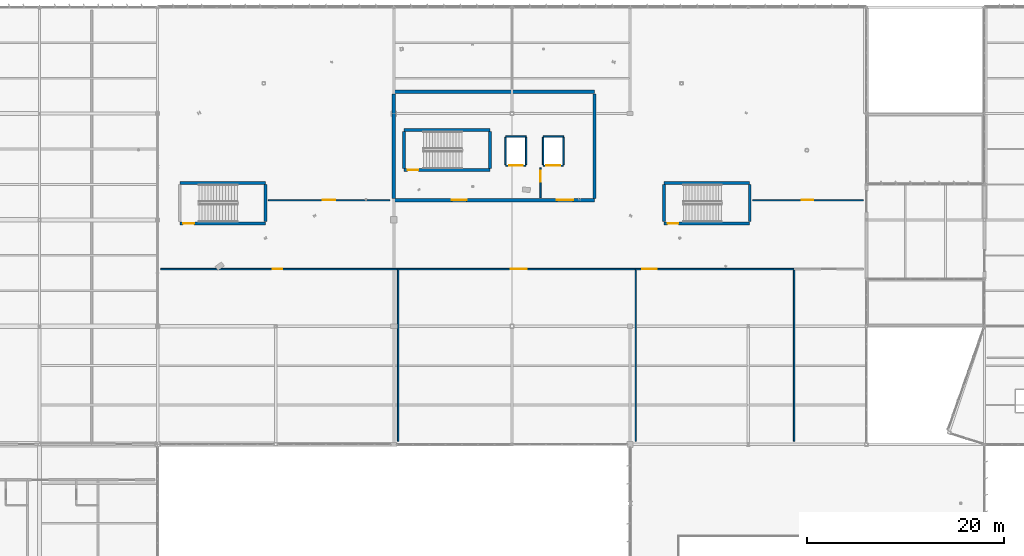
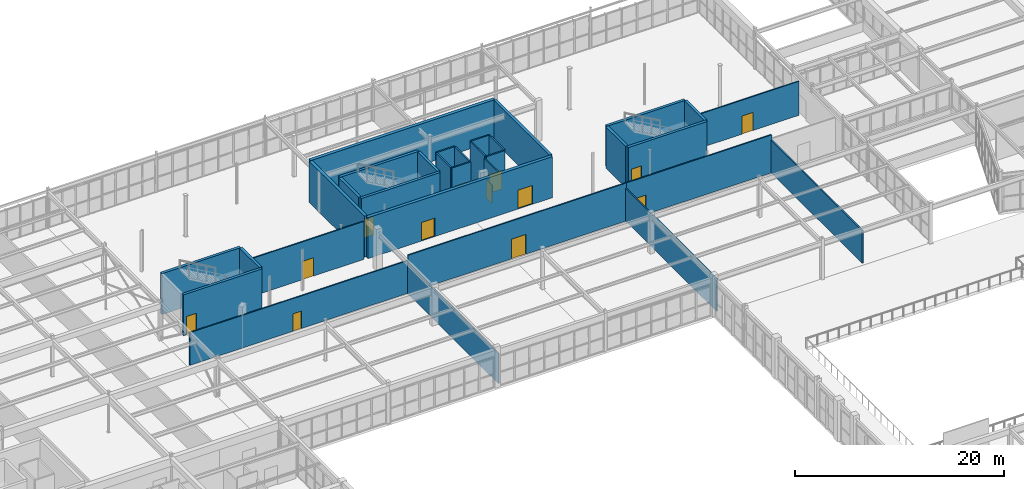
# One storey, part 195 of 226: 32 walls, 13 doors, 13 openings.
"""IFC4 building model written with IfcOpenShell, lengths in metres."""

from ifc_helpers import new_model, si_unit, direction, frame, frame_2d, origin, place, context, subcontext, project, spatial, rectangle, extrude, material, layer, layer_set, type_object, element, fill, save


model = new_model("IFC4")

# Units and contexts
model_context = context("Model", 3, precision=1e-05, world=origin(), true_north=direction((0.0, 1.0)))
body_context = subcontext(model_context, "Body", "Model", "MODEL_VIEW")
ifc_project = project(units=[si_unit("LENGTHUNIT", "METRE"), si_unit("AREAUNIT", "SQUARE_METRE"), si_unit("VOLUMEUNIT", "CUBIC_METRE"), si_unit("PLANEANGLEUNIT", "RADIAN"), si_unit("MASSUNIT", "GRAM", prefix="KILO")], contexts=[model_context])

# Site, building, storey
site_placement = place(None, origin())
site = spatial("IfcSite", under=ifc_project, at=site_placement, CompositionType="ELEMENT")
building_placement = place(site_placement, origin())
building = spatial("IfcBuilding", under=site, at=building_placement, Name="Tarnwether General Hospital", CompositionType="ELEMENT")
storey_placement = place(building_placement, frame((0.0, 0.0, 4.800048828125)))
storey = spatial("IfcBuildingStorey", under=building, at=storey_placement, Name="L01", CompositionType="ELEMENT", Elevation=4.800048828125)

# Wall, opening, door
ifc_material_1 = material(Name="Gypsum plasterboard")
ifc_layer_1 = layer(ifc_material_1, 0.139892578125)
ifc_layer_set_1 = layer_set([ifc_layer_1], Name="Gypsum plasterboard")
wall_type_1 = type_object("IfcWallType", Name="WL-PT140", PredefinedType="PARTITIONING", material=ifc_layer_set_1)
wall_1_placement = place(storey_placement, frame((60.300048828125, 99.39990234375, 0.0), z_axis=(0.0, 0.0, 1.0), x_axis=(1.0, 0.0, 0.0)))
wall_1 = element("IfcWall", 1, at=wall_1_placement, inside=storey, type_object=wall_type_1, Name="Interior Partition PT-L01-0195", PredefinedType="PARTITIONING", context=body_context, shape_type="SweptSolid", body=[
    extrude(rectangle(XDim=24.135009765625, YDim=0.139892578125, at=frame_2d((12.0673828125, 0.0))), origin(), (0.0, 0.0, 1.0), 3.81787109375),
])
opening_1_placement = place(wall_1_placement, frame((11.41796875, 0.0, 0.0)))
opening_1 = element("IfcOpeningElement", 2, at=opening_1_placement, cuts=wall_1, Name="Opening D-12", PredefinedType="OPENING", context=body_context, shape_type="SweptSolid", body=[
    extrude(rectangle(XDim=0.919921875, YDim=2.0400390625, at=frame_2d((0.4599609375, 1.02001953125))), frame((0.0, 0.080078125, 0.0), z_axis=(0.0, -1.0, 0.0), x_axis=(1.0, 0.0, 0.0)), (0.0, 0.0, 1.0), 0.159912109375),
])
ifc_material_2 = material(Name="Anodised aluminium", Category="aluminium")
door_type_1 = type_object("IfcDoorType", Name="DR-IN12", OperationType="NOTDEFINED", PredefinedType="DOOR", material=ifc_material_2)
door_1_placement = place(opening_1_placement, origin())
door_1 = element("IfcDoor", 3, at=door_1_placement, inside=storey, type_object=door_type_1, Name="Interior Door DR-L01-0108", OperationType="SINGLE_SWING_RIGHT", OverallHeight=2.0400390625, OverallWidth=0.919921875, PredefinedType="DOOR", context=body_context, shape_type="SweptSolid", body=[
    extrude(rectangle(XDim=0.919921875, YDim=2.0400390625, at=frame_2d((0.4599609375, 1.02001953125))), frame((0.0, 0.02490234375, 0.0), z_axis=(0.0, -1.0, 0.0), x_axis=(1.0, 0.0, 0.0)), (0.0, 0.0, 1.0), 0.050048828125),
])
fill(opening_1, door_1)

# Wall
wall_2_placement = place(storey_placement, frame((84.43505859375, 81.89990234375, 0.0), z_axis=(0.0, 0.0, 1.0), x_axis=(0.0, 1.0, 0.0)))
element("IfcWall", 4, at=wall_2_placement, inside=storey, type_object=wall_type_1, Name="Interior Partition PT-L01-0196", PredefinedType="PARTITIONING", context=body_context, shape_type="SweptSolid", body=[
    extrude(rectangle(XDim=17.5, YDim=0.139892578125, at=frame_2d((8.75, 0.0))), origin(), (0.0, 0.0, 1.0), 3.530029296875),
])

# Wall, opening, door
wall_3_placement = place(storey_placement, frame((84.43505859375, 99.39990234375, 0.0), z_axis=(0.0, 0.0, 1.0), x_axis=(1.0, 0.0, 0.0)))
wall_3 = element("IfcWall", 5, at=wall_3_placement, inside=storey, type_object=wall_type_1, Name="Interior Partition PT-L01-0197", PredefinedType="PARTITIONING", context=body_context, shape_type="SweptSolid", body=[
    extrude(rectangle(XDim=24.135009765625, YDim=0.139892578125, at=frame_2d((12.0673828125, 0.0))), origin(), (0.0, 0.0, 1.0), 4.429931640625),
])
opening_2_placement = place(wall_3_placement, frame((11.41796875, 0.0, 0.0)))
opening_2 = element("IfcOpeningElement", 6, at=opening_2_placement, cuts=wall_3, Name="Opening SD-02", PredefinedType="OPENING", context=body_context, shape_type="SweptSolid", body=[
    extrude(rectangle(XDim=1.6201171875, YDim=2.300048828125, at=frame_2d((0.81005859375, 1.14990234375))), frame((0.0, 0.080078125, 0.0), z_axis=(0.0, -1.0, 0.0), x_axis=(1.0, 0.0, 0.0)), (0.0, 0.0, 1.0), 0.159912109375),
])
ifc_material_3 = material(Name="Anodised aluminium", Category="aluminium")
door_type_2 = type_object("IfcDoorType", Name="DR-OR02", OperationType="NOTDEFINED", PredefinedType="DOOR", material=ifc_material_3)
door_2_placement = place(opening_2_placement, origin())
door_2 = element("IfcDoor", 7, at=door_2_placement, inside=storey, type_object=door_type_2, Name="Interior Door DR-L01-0109", OperationType="SLIDING_TO_RIGHT", OverallHeight=2.300048828125, OverallWidth=1.6201171875, PredefinedType="DOOR", context=body_context, shape_type="SweptSolid", body=[
    extrude(rectangle(XDim=1.6201171875, YDim=2.300048828125, at=frame_2d((0.81005859375, 1.14990234375))), frame((0.0, 0.02490234375, 0.0), z_axis=(0.0, -1.0, 0.0), x_axis=(1.0, 0.0, 0.0)), (0.0, 0.0, 1.0), 0.050048828125),
])
fill(opening_2, door_2)

# Wall
wall_4_placement = place(storey_placement, frame((108.570068359375, 81.89990234375, 0.0), z_axis=(0.0, 0.0, 1.0), x_axis=(0.0, 1.0, 0.0)))
element("IfcWall", 8, at=wall_4_placement, inside=storey, type_object=wall_type_1, Name="Interior Partition PT-L01-0198", PredefinedType="PARTITIONING", context=body_context, shape_type="SweptSolid", body=[
    extrude(rectangle(XDim=17.5, YDim=0.139892578125, at=frame_2d((8.75, 0.0))), origin(), (0.0, 0.0, 1.0), 3.81787109375),
])

# Wall, opening, door
wall_5_placement = place(storey_placement, frame((108.570068359375, 99.39990234375, 0.0), z_axis=(0.0, 0.0, 1.0), x_axis=(1.0, 0.0, 0.0)))
wall_5 = element("IfcWall", 9, at=wall_5_placement, inside=storey, type_object=wall_type_1, Name="Interior Partition PT-L01-0199", PredefinedType="PARTITIONING", context=body_context, shape_type="SweptSolid", body=[
    extrude(rectangle(XDim=16.0908203125, YDim=0.139892578125, at=frame_2d((8.04541015625, 0.0))), origin(), (0.0, 0.0, 1.0), 4.429931640625),
])
opening_3_placement = place(wall_5_placement, frame((0.677978515625, 0.0, 0.0)))
opening_3 = element("IfcOpeningElement", 10, at=opening_3_placement, cuts=wall_5, Name="Opening SD-03", PredefinedType="OPENING", context=body_context, shape_type="SweptSolid", body=[
    extrude(rectangle(XDim=1.47998046875, YDim=2.260009765625, at=frame_2d((0.739990234375, 1.1298828125))), frame((0.0, 0.080078125, 0.0), z_axis=(0.0, -1.0, 0.0), x_axis=(1.0, 0.0, 0.0)), (0.0, 0.0, 1.0), 0.159912109375),
])
ifc_material_4 = material(Name="Anodised aluminium", Category="aluminium")
door_type_3 = type_object("IfcDoorType", Name="DR-OR03", OperationType="NOTDEFINED", PredefinedType="DOOR", material=ifc_material_4)
door_3_placement = place(opening_3_placement, origin())
door_3 = element("IfcDoor", 11, at=door_3_placement, inside=storey, type_object=door_type_3, Name="Interior Door DR-L01-0110", OperationType="SLIDING_TO_LEFT", OverallHeight=2.260009765625, OverallWidth=1.47998046875, PredefinedType="DOOR", context=body_context, shape_type="SweptSolid", body=[
    extrude(rectangle(XDim=1.47998046875, YDim=2.260009765625, at=frame_2d((0.739990234375, 1.1298828125))), frame((0.0, 0.02490234375, 0.0), z_axis=(0.0, -1.0, 0.0), x_axis=(1.0, 0.0, 0.0)), (0.0, 0.0, 1.0), 0.050048828125),
])
fill(opening_3, door_3)

# Wall
wall_6_placement = place(storey_placement, frame((124.660888671875, 81.89990234375, 0.0), z_axis=(0.0, 0.0, 1.0), x_axis=(0.0, 1.0, 0.0)))
element("IfcWall", 12, at=wall_6_placement, inside=storey, type_object=wall_type_1, Name="Interior Partition PT-L01-0200", PredefinedType="PARTITIONING", context=body_context, shape_type="SweptSolid", body=[
    extrude(rectangle(XDim=17.5, YDim=0.139892578125, at=frame_2d((8.75, 0.0))), origin(), (0.0, 0.0, 1.0), 3.822998046875),
])

# Wall, opening, door
wall_7_placement = place(storey_placement, frame((71.25, 106.39990234375, 0.0), z_axis=(0.0, 0.0, 1.0), x_axis=(1.0, 0.0, 0.0)))
wall_7 = element("IfcWall", 13, at=wall_7_placement, inside=storey, type_object=wall_type_1, Name="Interior Partition PT-L01-0202", PredefinedType="PARTITIONING", context=body_context, shape_type="SweptSolid", body=[
    extrude(rectangle(XDim=12.35009765625, YDim=0.139892578125, at=frame_2d((6.175048828125, 0.0))), origin(), (0.0, 0.0, 1.0), 4.429931640625),
])
opening_4_placement = place(wall_7_placement, frame((5.52490234375, 0.0, 0.0)))
opening_4 = element("IfcOpeningElement", 14, at=opening_4_placement, cuts=wall_7, Name="Opening D-04", PredefinedType="OPENING", context=body_context, shape_type="SweptSolid", body=[
    extrude(rectangle(XDim=1.260009765625, YDim=2.139892578125, at=frame_2d((0.6298828125, 1.06982421875))), frame((0.0, 0.080078125, 0.0), z_axis=(0.0, -1.0, 0.0), x_axis=(1.0, 0.0, 0.0)), (0.0, 0.0, 1.0), 0.159912109375),
])
ifc_material_5 = material(Name="Anodised aluminium", Category="aluminium")
door_type_4 = type_object("IfcDoorType", Name="DR-IN04", OperationType="NOTDEFINED", PredefinedType="DOOR", material=ifc_material_5)
door_4_placement = place(opening_4_placement, origin())
door_4 = element("IfcDoor", 15, at=door_4_placement, inside=storey, type_object=door_type_4, Name="Interior Door DR-L01-0112", OperationType="SINGLE_SWING_RIGHT", OverallHeight=2.139892578125, OverallWidth=1.260009765625, PredefinedType="DOOR", context=body_context, shape_type="SweptSolid", body=[
    extrude(rectangle(XDim=1.260009765625, YDim=2.139892578125, at=frame_2d((0.6298828125, 1.06982421875))), frame((0.0, 0.02490234375, 0.0), z_axis=(0.0, -1.0, 0.0), x_axis=(1.0, 0.0, 0.0)), (0.0, 0.0, 1.0), 0.050048828125),
])
fill(opening_4, door_4)

wall_8_placement = place(storey_placement, frame((120.449951171875, 106.39990234375, 0.0), z_axis=(0.0, 0.0, 1.0), x_axis=(1.0, 0.0, 0.0)))
wall_8 = element("IfcWall", 16, at=wall_8_placement, inside=storey, type_object=wall_type_1, Name="Interior Partition PT-L01-0204", PredefinedType="PARTITIONING", context=body_context, shape_type="SweptSolid", body=[
    extrude(rectangle(XDim=11.25, YDim=0.139892578125, at=frame_2d((5.625, 0.0))), origin(), (0.0, 0.0, 1.0), 3.975830078125),
])
opening_5_placement = place(wall_8_placement, frame((4.97509765625, 0.0, 0.0)))
opening_5 = element("IfcOpeningElement", 17, at=opening_5_placement, cuts=wall_8, Name="Opening D-05", PredefinedType="OPENING", context=body_context, shape_type="SweptSolid", body=[
    extrude(rectangle(XDim=1.199951171875, YDim=2.1201171875, at=frame_2d((0.60009765625, 1.06005859375))), frame((0.0, 0.080078125, 0.0), z_axis=(0.0, -1.0, 0.0), x_axis=(1.0, 0.0, 0.0)), (0.0, 0.0, 1.0), 0.159912109375),
])
ifc_material_6 = material(Name="Anodised aluminium", Category="aluminium")
door_type_5 = type_object("IfcDoorType", Name="DR-IN05", OperationType="NOTDEFINED", PredefinedType="DOOR", material=ifc_material_6)
door_5_placement = place(opening_5_placement, origin())
door_5 = element("IfcDoor", 18, at=door_5_placement, inside=storey, type_object=door_type_5, Name="Interior Door DR-L01-0113", OperationType="SINGLE_SWING_LEFT", OverallHeight=2.1201171875, OverallWidth=1.199951171875, PredefinedType="DOOR", context=body_context, shape_type="SweptSolid", body=[
    extrude(rectangle(XDim=1.199951171875, YDim=2.1201171875, at=frame_2d((0.60009765625, 1.06005859375))), frame((0.0, 0.02490234375, 0.0), z_axis=(0.0, -1.0, 0.0), x_axis=(1.0, 0.0, 0.0)), (0.0, 0.0, 1.0), 0.050048828125),
])
fill(opening_5, door_5)

ifc_material_7 = material(Name="Gypsum plasterboard")
ifc_layer_2 = layer(ifc_material_7, 0.159912109375)
ifc_layer_set_2 = layer_set([ifc_layer_2], Name="Gypsum plasterboard")
wall_type_2 = type_object("IfcWallType", Name="WL-PT160", PredefinedType="PARTITIONING", material=ifc_layer_set_2)
wall_9_placement = place(storey_placement, frame((95.360107421875, 109.909912109375, 0.0), z_axis=(0.0, 0.0, 1.0), x_axis=(1.0, 0.0, 0.0)))
wall_9 = element("IfcWall", 19, at=wall_9_placement, inside=storey, type_object=wall_type_2, Name="Lift L-01 Shaft Wall LSH-L-01-L01-S", PredefinedType="PARTITIONING", context=body_context, shape_type="SweptSolid", body=[
    extrude(rectangle(XDim=2.079833984375, YDim=0.159912109375, at=frame_2d((1.0400390625, 0.0))), origin(), (0.0, 0.0, 1.0), 4.429931640625),
])
opening_6_placement = place(wall_9_placement, frame((0.340087890625, 0.0, 0.0)))
opening_6 = element("IfcOpeningElement", 20, at=opening_6_placement, cuts=wall_9, Name="Opening LD-01", PredefinedType="OPENING", context=body_context, shape_type="SweptSolid", body=[
    extrude(rectangle(XDim=1.39990234375, YDim=2.199951171875, at=frame_2d((0.699951171875, 1.10009765625))), frame((0.0, 0.08984375, 0.0), z_axis=(0.0, -1.0, 0.0), x_axis=(1.0, 0.0, 0.0)), (0.0, 0.0, 1.0), 0.179931640625),
])
ifc_material_8 = material(Name="Anodised aluminium", Category="aluminium")
door_type_6 = type_object("IfcDoorType", Name="DR-LD01", OperationType="NOTDEFINED", PredefinedType="DOOR", material=ifc_material_8)
door_6_placement = place(opening_6_placement, origin())
door_6 = element("IfcDoor", 21, at=door_6_placement, inside=storey, type_object=door_type_6, Name="Lift L-01 Sliding Landing Door L01", OperationType="SLIDING_TO_LEFT", OverallHeight=2.199951171875, OverallWidth=1.39990234375, PredefinedType="DOOR", context=body_context, shape_type="SweptSolid", body=[
    extrude(rectangle(XDim=1.39990234375, YDim=2.199951171875, at=frame_2d((0.699951171875, 1.10009765625))), frame((0.0, 0.02490234375, 0.0), z_axis=(0.0, -1.0, 0.0), x_axis=(1.0, 0.0, 0.0)), (0.0, 0.0, 1.0), 0.050048828125),
])
fill(opening_6, door_6)

# Walls
wall_10_placement = place(storey_placement, frame((97.43994140625, 112.889892578125, 0.0), z_axis=(0.0, 0.0, 1.0), x_axis=(-1.0, 0.0, 0.0)))
element("IfcWall", 22, at=wall_10_placement, inside=storey, type_object=wall_type_2, Name="Lift L-01 Shaft Wall LSH-L-01-L01-N", PredefinedType="PARTITIONING", context=body_context, shape_type="SweptSolid", body=[
    extrude(rectangle(XDim=2.079833984375, YDim=0.159912109375, at=frame_2d((1.0400390625, 0.0))), origin(), (0.0, 0.0, 1.0), 4.429931640625),
])
for number, where, z_axis, x_axis, name in (
    (23, (95.360107421875, 112.7900390625, 0.0), (0.0, 0.0, 1.0), (0.0, -1.0, 0.0), "Lift L-01 Shaft Wall LSH-L-01-L01-W"),
    (24, (97.43994140625, 110.010009765625, 0.0), (0.0, 0.0, 1.0), (0.0, 1.0, 0.0), "Lift L-01 Shaft Wall LSH-L-01-L01-E"),
):
    element("IfcWall", number, at=place(storey_placement, frame(where, z_axis=z_axis, x_axis=x_axis)), inside=storey, type_object=wall_type_2, Name=name, PredefinedType="PARTITIONING", context=body_context, shape_type="SweptSolid", body=[
        extrude(rectangle(XDim=2.780029296875, YDim=0.159912109375, at=frame_2d((1.39013671875, 0.0))), origin(), (0.0, 0.0, 1.0), 4.429931640625),
    ])

# Wall, opening, door
wall_11_placement = place(storey_placement, frame((99.159912109375, 109.909912109375, 0.0), z_axis=(0.0, 0.0, 1.0), x_axis=(1.0, 0.0, 0.0)))
wall_11 = element("IfcWall", 25, at=wall_11_placement, inside=storey, type_object=wall_type_2, Name="Lift L-03 Shaft Wall LSH-L-03-L01-S", PredefinedType="PARTITIONING", context=body_context, shape_type="SweptSolid", body=[
    extrude(rectangle(XDim=2.080078125, YDim=0.159912109375, at=frame_2d((1.0400390625, 0.0))), origin(), (0.0, 0.0, 1.0), 4.429931640625),
])
opening_7_placement = place(wall_11_placement, frame((0.340087890625, 0.0, 0.0)))
opening_7 = element("IfcOpeningElement", 26, at=opening_7_placement, cuts=wall_11, Name="Opening LD-01", PredefinedType="OPENING", context=body_context, shape_type="SweptSolid", body=[
    extrude(rectangle(XDim=1.39990234375, YDim=2.199951171875, at=frame_2d((0.699951171875, 1.10009765625))), frame((0.0, 0.08984375, 0.0), z_axis=(0.0, -1.0, 0.0), x_axis=(1.0, 0.0, 0.0)), (0.0, 0.0, 1.0), 0.179931640625),
])
door_7_placement = place(opening_7_placement, origin())
door_7 = element("IfcDoor", 27, at=door_7_placement, inside=storey, type_object=door_type_6, Name="Lift L-03 Sliding Landing Door L01", OperationType="SLIDING_TO_LEFT", OverallHeight=2.199951171875, OverallWidth=1.39990234375, PredefinedType="DOOR", context=body_context, shape_type="SweptSolid", body=[
    extrude(rectangle(XDim=1.39990234375, YDim=2.199951171875, at=frame_2d((0.699951171875, 1.10009765625))), frame((0.0, 0.02490234375, 0.0), z_axis=(0.0, -1.0, 0.0), x_axis=(1.0, 0.0, 0.0)), (0.0, 0.0, 1.0), 0.050048828125),
])
fill(opening_7, door_7)

# Walls
wall_12_placement = place(storey_placement, frame((101.239990234375, 112.889892578125, 0.0), z_axis=(0.0, 0.0, 1.0), x_axis=(-1.0, 0.0, 0.0)))
element("IfcWall", 28, at=wall_12_placement, inside=storey, type_object=wall_type_2, Name="Lift L-03 Shaft Wall LSH-L-03-L01-N", PredefinedType="PARTITIONING", context=body_context, shape_type="SweptSolid", body=[
    extrude(rectangle(XDim=2.080078125, YDim=0.159912109375, at=frame_2d((1.0400390625, 0.0))), origin(), (0.0, 0.0, 1.0), 4.429931640625),
])
for number, where, z_axis, x_axis, name in (
    (29, (99.159912109375, 112.7900390625, 0.0), (0.0, 0.0, 1.0), (0.0, -1.0, 0.0), "Lift L-03 Shaft Wall LSH-L-03-L01-W"),
    (30, (101.239990234375, 110.010009765625, 0.0), (0.0, 0.0, 1.0), (0.0, 1.0, 0.0), "Lift L-03 Shaft Wall LSH-L-03-L01-E"),
):
    element("IfcWall", number, at=place(storey_placement, frame(where, z_axis=z_axis, x_axis=x_axis)), inside=storey, type_object=wall_type_2, Name=name, PredefinedType="PARTITIONING", context=body_context, shape_type="SweptSolid", body=[
        extrude(rectangle(XDim=2.780029296875, YDim=0.159912109375, at=frame_2d((1.39013671875, 0.0))), origin(), (0.0, 0.0, 1.0), 4.429931640625),
    ])

# Wall, opening, door
wall_13_placement = place(storey_placement, frame((98.89990234375, 106.64990234375, 0.0), z_axis=(0.0, 0.0, 1.0), x_axis=(0.0, 1.0, 0.0)))
wall_13 = element("IfcWall", 31, at=wall_13_placement, inside=storey, type_object=wall_type_2, Name="Firefighting Lobby Divider K1 L01", PredefinedType="PARTITIONING", context=body_context, shape_type="SweptSolid", body=[
    extrude(rectangle(XDim=3.050048828125, YDim=0.159912109375, at=frame_2d((1.52490234375, 0.0))), origin(), (0.0, 0.0, 1.0), 4.429931640625),
])
opening_8_placement = place(wall_13_placement, frame((1.6298828125, 0.0, 0.0)))
opening_8 = element("IfcOpeningElement", 32, at=opening_8_placement, cuts=wall_13, Name="Opening FD-06", PredefinedType="OPENING", context=body_context, shape_type="SweptSolid", body=[
    extrude(rectangle(XDim=1.10009765625, YDim=2.14990234375, at=frame_2d((0.550048828125, 1.074951171875))), frame((0.0, 0.08984375, 0.0), z_axis=(0.0, -1.0, 0.0), x_axis=(1.0, 0.0, 0.0)), (0.0, 0.0, 1.0), 0.179931640625),
])
ifc_material_9 = material(Name="Anodised aluminium", Category="aluminium")
door_type_7 = type_object("IfcDoorType", Name="DR-FD06", OperationType="NOTDEFINED", PredefinedType="DOOR", material=ifc_material_9)
door_8_placement = place(opening_8_placement, origin())
door_8 = element("IfcDoor", 33, at=door_8_placement, inside=storey, type_object=door_type_7, Name="Core K1 Inter-Lobby Smoke Door L01", OperationType="SINGLE_SWING_RIGHT", OverallHeight=2.14990234375, OverallWidth=1.10009765625, PredefinedType="DOOR", context=body_context, shape_type="SweptSolid", body=[
    extrude(rectangle(XDim=1.10009765625, YDim=2.14990234375, at=frame_2d((0.550048828125, 1.074951171875))), frame((0.0, 0.02490234375, 0.0), z_axis=(0.0, -1.0, 0.0), x_axis=(1.0, 0.0, 0.0)), (0.0, 0.0, 1.0), 0.050048828125),
])
fill(opening_8, door_8)

# Wall
ifc_material_10 = material(Name="Concrete 50 MPa", Category="concrete")
ifc_layer_3 = layer(ifc_material_10, 0.300048828125)
ifc_layer_set_3 = layer_set([ifc_layer_3], Name="Concrete 50 MPa")
wall_type_3 = type_object("IfcWallType", Name="WL-SW300", PredefinedType="SHEAR", material=ifc_layer_set_3)
wall_14_placement = place(storey_placement, frame((104.39990234375, 117.199951171875, 0.0), z_axis=(0.0, 0.0, 1.0), x_axis=(0.0, -1.0, 0.0)))
element("IfcWall", 34, at=wall_14_placement, inside=storey, type_object=wall_type_3, Name="Core Shear Wall CWALL-K1-L01-E", PredefinedType="SHEAR", context=body_context, shape_type="SweptSolid", body=[
    extrude(rectangle(XDim=10.599853515625, YDim=0.300048828125, at=frame_2d((5.2998046875, 0.0))), origin(), (0.0, 0.0, 1.0), 4.800048828125),
])

# Wall, opening, door
wall_15_placement = place(storey_placement, frame((85.050048828125, 109.449951171875, 0.0), z_axis=(0.0, 0.0, 1.0), x_axis=(1.0, 0.0, 0.0)))
wall_15 = element("IfcWall", 35, at=wall_15_placement, inside=storey, type_object=wall_type_3, Name="Stairwell Shear Wall STW-ST-01-L01-B", PredefinedType="SHEAR", context=body_context, shape_type="SweptSolid", body=[
    extrude(rectangle(XDim=8.699951171875, YDim=0.300048828125, at=frame_2d((4.35009765625, 0.0))), origin(), (0.0, 0.0, 1.0), 4.800048828125),
])
opening_9_placement = place(wall_15_placement, frame((0.35009765625, 0.0, 0.0)))
opening_9 = element("IfcOpeningElement", 36, at=opening_9_placement, cuts=wall_15, Name="Opening FD-06", PredefinedType="OPENING", context=body_context, shape_type="SweptSolid", body=[
    extrude(rectangle(XDim=1.10009765625, YDim=2.14990234375, at=frame_2d((0.550048828125, 1.074951171875))), frame((0.0, 0.16015625, 0.0), z_axis=(0.0, -1.0, 0.0), x_axis=(1.0, 0.0, 0.0)), (0.0, 0.0, 1.0), 0.320068359375),
])
door_9_placement = place(opening_9_placement, origin())
door_9 = element("IfcDoor", 37, at=door_9_placement, inside=storey, type_object=door_type_7, Name="Stairwell ST-01 Safe-Path Fire Door L01", OperationType="SINGLE_SWING_RIGHT", OverallHeight=2.14990234375, OverallWidth=1.10009765625, PredefinedType="DOOR", context=body_context, shape_type="SweptSolid", body=[
    extrude(rectangle(XDim=1.10009765625, YDim=2.14990234375, at=frame_2d((0.550048828125, 1.074951171875))), frame((0.0, 0.02490234375, 0.0), z_axis=(0.0, -1.0, 0.0), x_axis=(1.0, 0.0, 0.0)), (0.0, 0.0, 1.0), 0.050048828125),
])
fill(opening_9, door_9)

# Walls
wall_16_placement = place(storey_placement, frame((93.75, 113.550048828125, 0.0), z_axis=(0.0, 0.0, 1.0), x_axis=(-1.0, 0.0, 0.0)))
element("IfcWall", 38, at=wall_16_placement, inside=storey, type_object=wall_type_3, Name="Stairwell Shear Wall STW-ST-01-L01-N", PredefinedType="SHEAR", context=body_context, shape_type="SweptSolid", body=[
    extrude(rectangle(XDim=8.699951171875, YDim=0.300048828125, at=frame_2d((4.35009765625, 0.0))), origin(), (0.0, 0.0, 1.0), 4.800048828125),
])
for number, where, z_axis, x_axis, name in (
    (39, (85.050048828125, 109.6201171875, 0.0), (0.0, 0.0, 1.0), (0.0, 1.0, 0.0), "Stairwell Shear Wall STW-ST-01-L01-L"),
    (40, (93.75, 109.6201171875, 0.0), (0.0, 0.0, 1.0), (0.0, 1.0, 0.0), "Stairwell Shear Wall STW-ST-01-L01-F"),
):
    element("IfcWall", number, at=place(storey_placement, frame(where, z_axis=z_axis, x_axis=x_axis)), inside=storey, type_object=wall_type_3, Name=name, PredefinedType="SHEAR", context=body_context, shape_type="SweptSolid", body=[
        extrude(rectangle(XDim=3.759765625, YDim=0.300048828125, at=frame_2d((1.8798828125, 0.0))), origin(), (0.0, 0.0, 1.0), 4.800048828125),
    ])

# Wall, opening, door
wall_17_placement = place(storey_placement, frame((62.25, 104.050048828125, 0.0), z_axis=(0.0, 0.0, 1.0), x_axis=(1.0, 0.0, 0.0)))
wall_17 = element("IfcWall", 41, at=wall_17_placement, inside=storey, type_object=wall_type_3, Name="Stairwell Shear Wall STW-ST-07-L01-B", PredefinedType="SHEAR", context=body_context, shape_type="SweptSolid", body=[
    extrude(rectangle(XDim=8.699951171875, YDim=0.300048828125, at=frame_2d((4.35009765625, 0.0))), origin(), (0.0, 0.0, 1.0), 4.800048828125),
])
opening_10_placement = place(wall_17_placement, frame((0.35009765625, 0.0, 0.0)))
opening_10 = element("IfcOpeningElement", 42, at=opening_10_placement, cuts=wall_17, Name="Opening FD-06", PredefinedType="OPENING", context=body_context, shape_type="SweptSolid", body=[
    extrude(rectangle(XDim=1.10009765625, YDim=2.14990234375, at=frame_2d((0.550048828125, 1.074951171875))), frame((0.0, 0.16015625, 0.0), z_axis=(0.0, -1.0, 0.0), x_axis=(1.0, 0.0, 0.0)), (0.0, 0.0, 1.0), 0.320068359375),
])
door_10_placement = place(opening_10_placement, origin())
door_10 = element("IfcDoor", 43, at=door_10_placement, inside=storey, type_object=door_type_7, Name="Stairwell ST-07 Safe-Path Fire Door L01", OperationType="SINGLE_SWING_LEFT", OverallHeight=2.14990234375, OverallWidth=1.10009765625, PredefinedType="DOOR", context=body_context, shape_type="SweptSolid", body=[
    extrude(rectangle(XDim=1.10009765625, YDim=2.14990234375, at=frame_2d((0.550048828125, 1.074951171875))), frame((0.0, 0.02490234375, 0.0), z_axis=(0.0, -1.0, 0.0), x_axis=(1.0, 0.0, 0.0)), (0.0, 0.0, 1.0), 0.050048828125),
])
fill(opening_10, door_10)

# Walls
wall_18_placement = place(storey_placement, frame((70.949951171875, 108.14990234375, 0.0), z_axis=(0.0, 0.0, 1.0), x_axis=(-1.0, 0.0, 0.0)))
element("IfcWall", 44, at=wall_18_placement, inside=storey, type_object=wall_type_3, Name="Stairwell Shear Wall STW-ST-07-L01-N", PredefinedType="SHEAR", context=body_context, shape_type="SweptSolid", body=[
    extrude(rectangle(XDim=8.699951171875, YDim=0.300048828125, at=frame_2d((4.35009765625, 0.0))), origin(), (0.0, 0.0, 1.0), 4.800048828125),
])
wall_19_placement = place(storey_placement, frame((70.949951171875, 104.219970703125, 0.0), z_axis=(0.0, 0.0, 1.0), x_axis=(0.0, 1.0, 0.0)))
element("IfcWall", 45, at=wall_19_placement, inside=storey, type_object=wall_type_3, Name="Stairwell Shear Wall STW-ST-07-L01-F", PredefinedType="SHEAR", context=body_context, shape_type="SweptSolid", body=[
    extrude(rectangle(XDim=3.760009765625, YDim=0.300048828125, at=frame_2d((1.8798828125, 0.0))), origin(), (0.0, 0.0, 1.0), 4.800048828125),
])

# Wall, opening, door
wall_20_placement = place(storey_placement, frame((111.449951171875, 104.050048828125, 0.0), z_axis=(0.0, 0.0, 1.0), x_axis=(1.0, 0.0, 0.0)))
wall_20 = element("IfcWall", 46, at=wall_20_placement, inside=storey, type_object=wall_type_3, Name="Stairwell Shear Wall STW-ST-08-L01-B", PredefinedType="SHEAR", context=body_context, shape_type="SweptSolid", body=[
    extrude(rectangle(XDim=8.699951171875, YDim=0.300048828125, at=frame_2d((4.35009765625, 0.0))), origin(), (0.0, 0.0, 1.0), 4.800048828125),
])
opening_11_placement = place(wall_20_placement, frame((0.35009765625, 0.0, 0.0)))
opening_11 = element("IfcOpeningElement", 47, at=opening_11_placement, cuts=wall_20, Name="Opening FD-06", PredefinedType="OPENING", context=body_context, shape_type="SweptSolid", body=[
    extrude(rectangle(XDim=1.10009765625, YDim=2.14990234375, at=frame_2d((0.550048828125, 1.074951171875))), frame((0.0, 0.16015625, 0.0), z_axis=(0.0, -1.0, 0.0), x_axis=(1.0, 0.0, 0.0)), (0.0, 0.0, 1.0), 0.320068359375),
])
door_11_placement = place(opening_11_placement, origin())
door_11 = element("IfcDoor", 48, at=door_11_placement, inside=storey, type_object=door_type_7, Name="Stairwell ST-08 Safe-Path Fire Door L01", OperationType="SINGLE_SWING_LEFT", OverallHeight=2.14990234375, OverallWidth=1.10009765625, PredefinedType="DOOR", context=body_context, shape_type="SweptSolid", body=[
    extrude(rectangle(XDim=1.10009765625, YDim=2.14990234375, at=frame_2d((0.550048828125, 1.074951171875))), frame((0.0, 0.02490234375, 0.0), z_axis=(0.0, -1.0, 0.0), x_axis=(1.0, 0.0, 0.0)), (0.0, 0.0, 1.0), 0.050048828125),
])
fill(opening_11, door_11)

# Walls
wall_21_placement = place(storey_placement, frame((120.14990234375, 108.14990234375, 0.0), z_axis=(0.0, 0.0, 1.0), x_axis=(-1.0, 0.0, 0.0)))
element("IfcWall", 49, at=wall_21_placement, inside=storey, type_object=wall_type_3, Name="Stairwell Shear Wall STW-ST-08-L01-N", PredefinedType="SHEAR", context=body_context, shape_type="SweptSolid", body=[
    extrude(rectangle(XDim=8.699951171875, YDim=0.300048828125, at=frame_2d((4.35009765625, 0.0))), origin(), (0.0, 0.0, 1.0), 4.800048828125),
])
for number, where, z_axis, x_axis, name in (
    (50, (111.449951171875, 104.219970703125, 0.0), (0.0, 0.0, 1.0), (0.0, 1.0, 0.0), "Stairwell Shear Wall STW-ST-08-L01-L"),
    (51, (120.14990234375, 104.219970703125, 0.0), (0.0, 0.0, 1.0), (0.0, 1.0, 0.0), "Stairwell Shear Wall STW-ST-08-L01-F"),
):
    element("IfcWall", number, at=place(storey_placement, frame(where, z_axis=z_axis, x_axis=x_axis)), inside=storey, type_object=wall_type_3, Name=name, PredefinedType="SHEAR", context=body_context, shape_type="SweptSolid", body=[
        extrude(rectangle(XDim=3.760009765625, YDim=0.300048828125, at=frame_2d((1.8798828125, 0.0))), origin(), (0.0, 0.0, 1.0), 4.800048828125),
    ])
ifc_material_11 = material(Name="Concrete 50 MPa", Category="concrete")
ifc_layer_4 = layer(ifc_material_11, 0.35009765625)
ifc_layer_set_4 = layer_set([ifc_layer_4], Name="Concrete 50 MPa")
wall_type_4 = type_object("IfcWallType", Name="WL-SW350", PredefinedType="SHEAR", material=ifc_layer_set_4)
wall_22_placement = place(storey_placement, frame((84.0, 117.39990234375, 0.0), z_axis=(0.0, 0.0, 1.0), x_axis=(1.0, 0.0, 0.0)))
element("IfcWall", 52, at=wall_22_placement, inside=storey, type_object=wall_type_4, Name="Core Shear Wall CWALL-K1-L01-N", PredefinedType="SHEAR", context=body_context, shape_type="SweptSolid", body=[
    extrude(rectangle(XDim=20.39990234375, YDim=0.35009765625, at=frame_2d((10.199951171875, 0.0))), origin(), (0.0, 0.0, 1.0), 4.800048828125),
])

# Wall, openings, doors
wall_23_placement = place(storey_placement, frame((104.39990234375, 106.39990234375, 0.0), z_axis=(0.0, 0.0, 1.0), x_axis=(-1.0, 0.0, 0.0)))
wall_23 = element("IfcWall", 53, at=wall_23_placement, inside=storey, type_object=wall_type_4, Name="Core Shear Wall CWALL-K1-L01-S", PredefinedType="SHEAR", context=body_context, shape_type="SweptSolid", body=[
    extrude(rectangle(XDim=20.39990234375, YDim=0.35009765625, at=frame_2d((10.199951171875, 0.0))), origin(), (0.0, 0.0, 1.0), 4.800048828125),
])
opening_12_placement = place(wall_23_placement, frame((2.199951171875, 0.0, 0.0)))
opening_12 = element("IfcOpeningElement", 54, at=opening_12_placement, cuts=wall_23, Name="Opening FD-01", PredefinedType="OPENING", context=body_context, shape_type="SweptSolid", body=[
    extrude(rectangle(XDim=1.639892578125, YDim=2.199951171875, at=frame_2d((0.81982421875, 1.10009765625))), frame((0.0, 0.18505859375, 0.0), z_axis=(0.0, -1.0, 0.0), x_axis=(1.0, 0.0, 0.0)), (0.0, 0.0, 1.0), 0.3701171875),
])
opening_13_placement = place(wall_23_placement, frame((13.0, 0.0, 0.0)))
opening_13 = element("IfcOpeningElement", 55, at=opening_13_placement, cuts=wall_23, Name="Opening FD-02", PredefinedType="OPENING", context=body_context, shape_type="SweptSolid", body=[
    extrude(rectangle(XDim=1.52001953125, YDim=2.159912109375, at=frame_2d((0.760009765625, 1.080078125))), frame((0.0, 0.18505859375, 0.0), z_axis=(0.0, -1.0, 0.0), x_axis=(1.0, 0.0, 0.0)), (0.0, 0.0, 1.0), 0.3701171875),
])
ifc_material_12 = material(Name="Anodised aluminium", Category="aluminium")
door_type_8 = type_object("IfcDoorType", Name="DR-FD01", OperationType="NOTDEFINED", PredefinedType="DOOR", material=ifc_material_12)
door_12_placement = place(opening_12_placement, origin())
door_12 = element("IfcDoor", 56, at=door_12_placement, inside=storey, type_object=door_type_8, Name="Core K1 Lobby Fire Door L01", OperationType="DOUBLE_DOOR_SINGLE_SWING", OverallHeight=2.199951171875, OverallWidth=1.639892578125, PredefinedType="DOOR", context=body_context, shape_type="SweptSolid", body=[
    extrude(rectangle(XDim=1.639892578125, YDim=2.199951171875, at=frame_2d((0.81982421875, 1.10009765625))), frame((0.0, 0.02490234375, 0.0), z_axis=(0.0, -1.0, 0.0), x_axis=(1.0, 0.0, 0.0)), (0.0, 0.0, 1.0), 0.050048828125),
])
fill(opening_12, door_12)
ifc_material_13 = material(Name="Anodised aluminium", Category="aluminium")
door_type_9 = type_object("IfcDoorType", Name="DR-FD02", OperationType="NOTDEFINED", PredefinedType="DOOR", material=ifc_material_13)
door_13_placement = place(opening_13_placement, origin())
door_13 = element("IfcDoor", 57, at=door_13_placement, inside=storey, type_object=door_type_9, Name="Core K1 Firefighting Lobby Door L01", OperationType="SINGLE_SWING_RIGHT", OverallHeight=2.159912109375, OverallWidth=1.52001953125, PredefinedType="DOOR", context=body_context, shape_type="SweptSolid", body=[
    extrude(rectangle(XDim=1.52001953125, YDim=2.159912109375, at=frame_2d((0.760009765625, 1.080078125))), frame((0.0, 0.02490234375, 0.0), z_axis=(0.0, -1.0, 0.0), x_axis=(1.0, 0.0, 0.0)), (0.0, 0.0, 1.0), 0.050048828125),
])
fill(opening_13, door_13)

# Wall
wall_24_placement = place(storey_placement, frame((84.0, 106.60009765625, 0.0), z_axis=(0.0, 0.0, 1.0), x_axis=(0.0, 1.0, 0.0)))
element("IfcWall", 58, at=wall_24_placement, inside=storey, type_object=wall_type_4, Name="Core Shear Wall CWALL-K1-L01-W", PredefinedType="SHEAR", context=body_context, shape_type="SweptSolid", body=[
    extrude(rectangle(XDim=10.599853515625, YDim=0.35009765625, at=frame_2d((5.2998046875, 0.0))), origin(), (0.0, 0.0, 1.0), 4.800048828125),
])

save(model, "model.ifc")
